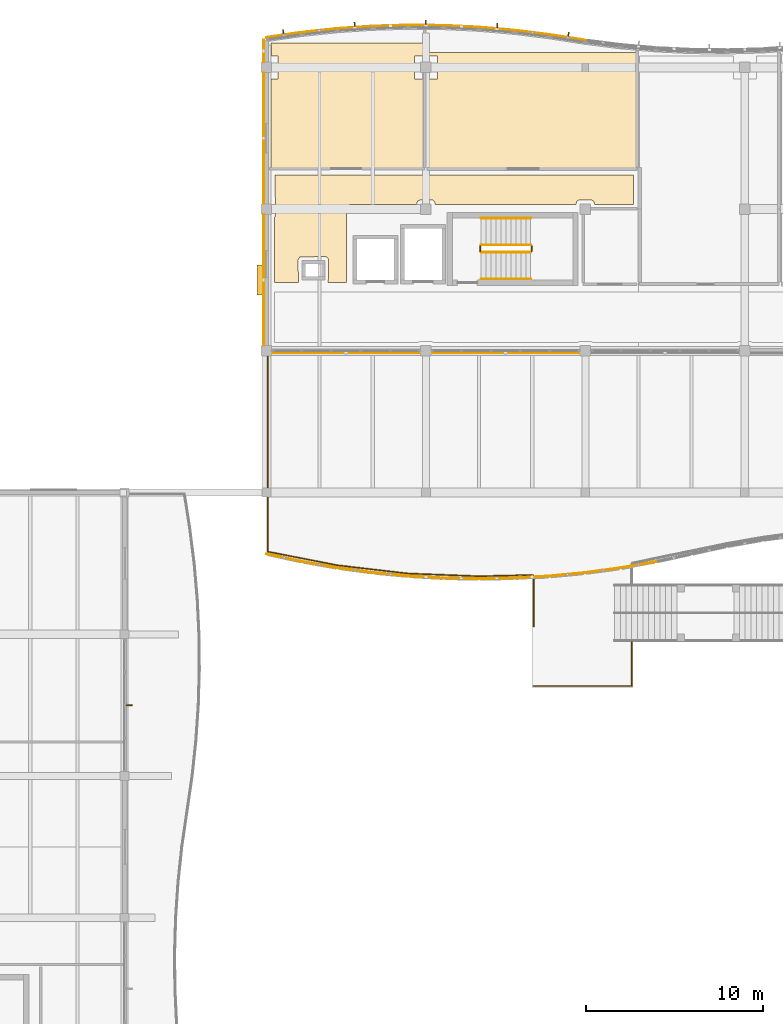
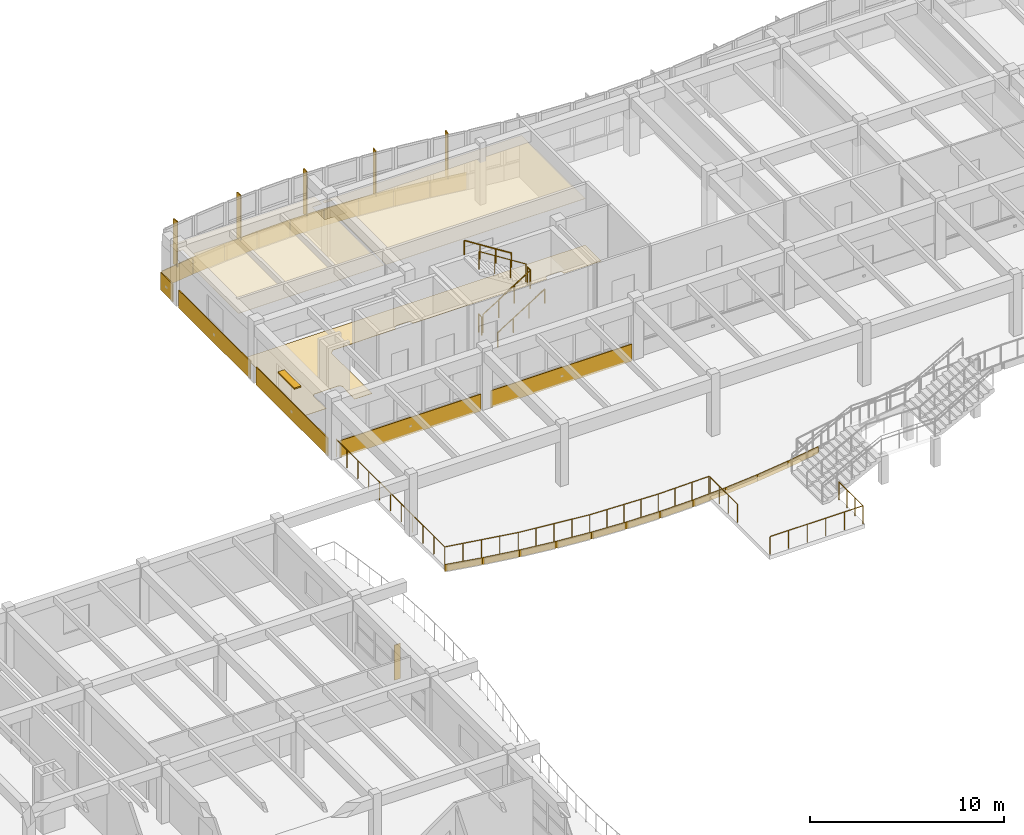
# One storey, part 81 of 89: 28 coverings, 8 railings, 7 shading devices.
"""IFC4 building model written with IfcOpenShell, lengths in metres."""

from ifc_helpers import new_model, si_unit, direction, frame, origin, origin_2d, place, context, subcontext, project, spatial, polyline, rectangle, circle, outline, extrude, material, layer, layer_set, type_object, element, save


model = new_model("IFC4")

# Units and contexts
model_context = context("Model", 3, precision=1e-05, world=origin(), true_north=direction((0.0, 1.0)))
body_context = subcontext(model_context, "Body", "Model", "MODEL_VIEW")
ifc_project = project(units=[si_unit("LENGTHUNIT", "METRE"), si_unit("AREAUNIT", "SQUARE_METRE"), si_unit("VOLUMEUNIT", "CUBIC_METRE"), si_unit("PLANEANGLEUNIT", "RADIAN"), si_unit("MASSUNIT", "GRAM", prefix="KILO")], contexts=[model_context])

# Site, building, storey
site_placement = place(None, origin())
site = spatial("IfcSite", under=ifc_project, at=site_placement, CompositionType="ELEMENT")
building_placement = place(site_placement, origin())
building = spatial("IfcBuilding", under=site, at=building_placement, Name="Tonlespit Floodbar School", CompositionType="ELEMENT")
storey_placement = place(building_placement, frame((0.0, 0.0, 4.5)))
storey = spatial("IfcBuildingStorey", under=building, at=storey_placement, Name="L01", CompositionType="ELEMENT", Elevation=4.5)

# Railing
ifc_material_1 = material(Name="Galvanised Steel", Category="steel")
railing_type_1 = type_object("IfcRailingType", Name="Balustrade_Ext_1150", PredefinedType="BALUSTRADE", material=ifc_material_1)
railing_1_placement = place(storey_placement, frame((59.080078125, 88.43994140625, 0.0)))
element("IfcRailing", 1, at=railing_1_placement, inside=storey, type_object=railing_type_1, Name="L01 terrace balustrade 008", PredefinedType="BALUSTRADE", context=body_context, shape_type="SweptSolid", body=[
    extrude(circle(Radius=0.02392578125, at=origin_2d()), frame((0.0, 0.0, 1.1259765625), z_axis=(0.0, 1.0, 0.0), x_axis=(-1.0, 0.0, 0.0)), (0.0, 0.0, 1.0), 2.832275390625),
    extrude(circle(Radius=0.02392578125, at=origin_2d()), frame((0.0, 2.832275390625, 1.1259765625), z_axis=(-0.409742789154, 0.912201099942, 0.0), x_axis=(-0.912201099942, -0.409742789154, 0.0)), (0.0, 0.0, 1.0), 0.08154296875),
    extrude(circle(Radius=0.02392578125, at=origin_2d()), frame((-0.033447265625, 2.90673828125, 1.1259765625), z_axis=(-0.999735551475, -0.022996241346, 0.0), x_axis=(0.022996241346, -0.999735551475, 0.0)), (0.0, 0.0, 1.0), 3.046875),
    extrude(circle(Radius=0.02392578125, at=origin_2d()), frame((-3.07958984375, 2.836669921875, 1.1259765625), z_axis=(-0.999259278666, 0.038482385571, 0.0), x_axis=(-0.038482385571, -0.999259278666, 0.0)), (0.0, 0.0, 1.0), 3.996826171875),
    extrude(circle(Radius=0.02392578125, at=origin_2d()), frame((-7.073486328125, 2.990478515625, 1.1259765625), z_axis=(-0.993315801969, 0.115428408799, 0.0), x_axis=(-0.115428408799, -0.993315801969, 0.0)), (0.0, 0.0, 1.0), 4.020751953125),
    extrude(circle(Radius=0.02392578125, at=origin_2d()), frame((-11.0673828125, 3.45458984375, 1.1259765625), z_axis=(-0.981302694889, 0.192470831563, 0.0), x_axis=(-0.192470831563, -0.981302694889, 0.0)), (0.0, 0.0, 1.0), 4.007080078125),
    extrude(circle(Radius=0.02392578125, at=origin_2d()), frame((-14.99951171875, 4.225830078125, 1.1259765625), z_axis=(-2.1806922e-05, 0.999999999762, 0.0), x_axis=(-0.999999999762, -2.1806922e-05, 0.0)), (0.0, 0.0, 1.0), 11.195556640625),
    extrude(circle(Radius=0.02099609375, at=origin_2d()), origin(), (0.0, 0.0, 1.0), 1.101806640625),
    extrude(circle(Radius=0.02099609375, at=origin_2d()), frame((0.0, 0.944091796875, 0.0)), (0.0, 0.0, 1.0), 1.101806640625),
    extrude(circle(Radius=0.02099609375, at=origin_2d()), frame((0.0, 1.88818359375, 0.0)), (0.0, 0.0, 1.0), 1.101806640625),
    extrude(circle(Radius=0.02099609375, at=origin_2d()), frame((0.0, 2.832275390625, 0.0)), (0.0, 0.0, 1.0), 1.101806640625),
    extrude(circle(Radius=0.02099609375, at=origin_2d()), frame((-0.033447265625, 2.90673828125, 0.0)), (0.0, 0.0, 1.0), 1.101806640625),
    extrude(circle(Radius=0.02099609375, at=origin_2d()), frame((-1.048828125, 2.88330078125, 0.0)), (0.0, 0.0, 1.0), 1.101806640625),
    extrude(circle(Radius=0.02099609375, at=origin_2d()), frame((-2.064208984375, 2.860107421875, 0.0)), (0.0, 0.0, 1.0), 1.101806640625),
    extrude(circle(Radius=0.02099609375, at=origin_2d()), frame((-3.07958984375, 2.836669921875, 0.0)), (0.0, 0.0, 1.0), 1.101806640625),
    extrude(circle(Radius=0.02099609375, at=origin_2d()), frame((-4.078125, 2.875, 0.0)), (0.0, 0.0, 1.0), 1.101806640625),
    extrude(circle(Radius=0.02099609375, at=origin_2d()), frame((-5.07666015625, 2.91357421875, 0.0)), (0.0, 0.0, 1.0), 1.101806640625),
    extrude(circle(Radius=0.02099609375, at=origin_2d()), frame((-6.074951171875, 2.9521484375, 0.0)), (0.0, 0.0, 1.0), 1.101806640625),
    extrude(circle(Radius=0.02099609375, at=origin_2d()), frame((-7.073486328125, 2.990478515625, 0.0)), (0.0, 0.0, 1.0), 1.101806640625),
    extrude(circle(Radius=0.02099609375, at=origin_2d()), frame((-8.072021484375, 3.1064453125, 0.0)), (0.0, 0.0, 1.0), 1.101806640625),
    extrude(circle(Radius=0.02099609375, at=origin_2d()), frame((-9.0703125, 3.22265625, 0.0)), (0.0, 0.0, 1.0), 1.101806640625),
    extrude(circle(Radius=0.02099609375, at=origin_2d()), frame((-10.06884765625, 3.338623046875, 0.0)), (0.0, 0.0, 1.0), 1.101806640625),
    extrude(circle(Radius=0.02099609375, at=origin_2d()), frame((-11.0673828125, 3.45458984375, 0.0)), (0.0, 0.0, 1.0), 1.101806640625),
    extrude(circle(Radius=0.02099609375, at=origin_2d()), frame((-12.05029296875, 3.6474609375, 0.0)), (0.0, 0.0, 1.0), 1.101806640625),
    extrude(circle(Radius=0.02099609375, at=origin_2d()), frame((-13.033447265625, 3.84033203125, 0.0)), (0.0, 0.0, 1.0), 1.101806640625),
    extrude(circle(Radius=0.02099609375, at=origin_2d()), frame((-14.0166015625, 4.032958984375, 0.0)), (0.0, 0.0, 1.0), 1.101806640625),
    extrude(circle(Radius=0.02099609375, at=origin_2d()), frame((-14.99951171875, 4.225830078125, 0.0)), (0.0, 0.0, 1.0), 1.101806640625),
    extrude(circle(Radius=0.02099609375, at=origin_2d()), frame((-14.99951171875, 5.345458984375, 0.0)), (0.0, 0.0, 1.0), 1.101806640625),
    extrude(circle(Radius=0.02099609375, at=origin_2d()), frame((-14.99951171875, 6.46484375, 0.0)), (0.0, 0.0, 1.0), 1.101806640625),
    extrude(circle(Radius=0.02099609375, at=origin_2d()), frame((-14.99951171875, 7.58447265625, 0.0)), (0.0, 0.0, 1.0), 1.101806640625),
    extrude(circle(Radius=0.02099609375, at=origin_2d()), frame((-14.99951171875, 8.7041015625, 0.0)), (0.0, 0.0, 1.0), 1.101806640625),
    extrude(circle(Radius=0.02099609375, at=origin_2d()), frame((-14.99951171875, 9.82373046875, 0.0)), (0.0, 0.0, 1.0), 1.101806640625),
    extrude(circle(Radius=0.02099609375, at=origin_2d()), frame((-14.999755859375, 10.943115234375, 0.0)), (0.0, 0.0, 1.0), 1.101806640625),
    extrude(circle(Radius=0.02099609375, at=origin_2d()), frame((-14.999755859375, 12.062744140625, 0.0)), (0.0, 0.0, 1.0), 1.101806640625),
    extrude(circle(Radius=0.02099609375, at=origin_2d()), frame((-14.999755859375, 13.182373046875, 0.0)), (0.0, 0.0, 1.0), 1.101806640625),
    extrude(circle(Radius=0.02099609375, at=origin_2d()), frame((-14.999755859375, 14.3017578125, 0.0)), (0.0, 0.0, 1.0), 1.101806640625),
    extrude(circle(Radius=0.02099609375, at=origin_2d()), frame((-14.999755859375, 15.42138671875, 0.0)), (0.0, 0.0, 1.0), 1.101806640625),
])

# Coverings
ifc_material_2 = material(Name="Acoustic Mineral Tile")
ifc_layer_1 = layer(ifc_material_2, 0.02001953125)
ifc_layer_set_1 = layer_set([ifc_layer_1], Name="Acoustic Mineral Tile")
covering_type_1 = type_object("IfcCoveringType", Name="Ceiling_Acoustic_20", PredefinedType="CEILING", material=ifc_layer_set_1)
covering_1_placement = place(storey_placement, frame((0.0, 0.0, 2.64990234375)))
element("IfcCovering", 2, at=covering_1_placement, inside=storey, type_object=covering_type_1, Name="L01 Primary Classroom 101 acoustic ceiling", PredefinedType="CEILING", context=body_context, shape_type="SweptSolid", body=[
    extrude(outline(polyline([(52.929931640625, 120.64990234375), (52.35009765625, 120.64990234375), (52.35009765625, 119.35009765625), (52.929931640625, 119.35009765625), (52.929931640625, 114.27001953125), (44.27001953125, 114.27001953125), (44.27001953125, 119.35009765625), (44.64990234375, 119.35009765625), (44.64990234375, 120.64990234375), (44.291259765625, 120.64990234375), (44.27001953125, 121.372802734375), (52.929931640625, 121.372802734375), (52.929931640625, 120.64990234375)])), origin(), (0.0, 0.0, 1.0), 0.02001953125),
])
covering_2_placement = place(storey_placement, frame((0.0, 0.0, 2.64990234375)))
element("IfcCovering", 3, at=covering_2_placement, inside=storey, type_object=covering_type_1, Name="L01 Primary Classroom 102 acoustic ceiling", PredefinedType="CEILING", context=body_context, shape_type="SweptSolid", body=[
    extrude(outline(polyline([(53.070068359375, 119.35009765625), (53.64990234375, 119.35009765625), (53.64990234375, 120.64990234375), (53.070068359375, 120.64990234375), (53.070068359375, 120.835693359375), (64.929931640625, 120.835693359375), (64.929931640625, 114.27001953125), (53.070068359375, 114.27001953125), (53.070068359375, 119.35009765625)])), origin(), (0.0, 0.0, 1.0), 0.02001953125),
])
ifc_material_3 = material(Name="White Architectural Aluminium", Category="aluminium")
ifc_layer_2 = layer(ifc_material_3, 0.050048828125)
ifc_layer_set_2 = layer_set([ifc_layer_2], Name="White Architectural Aluminium")
covering_type_2 = type_object("IfcCoveringType", Name="Cladding_WhiteBand_50", PredefinedType="CLADDING", material=ifc_layer_set_2)
covering_3_placement = place(storey_placement, frame((0.0, 0.0, -0.1201171875)))
element("IfcCovering", 4, at=covering_3_placement, inside=storey, type_object=covering_type_2, Name="L01 curved white spandrel cladding 0048", PredefinedType="CLADDING", context=body_context, shape_type="SweptSolid", body=[
    extrude(outline(polyline([(43.985595703125, 121.64892578125), (45.985595703125, 121.940673828125), (45.978515625, 121.989990234375), (43.978515625, 121.698486328125), (43.985595703125, 121.64892578125)])), origin(), (0.0, 0.0, 1.0), 1.070068359375),
])
covering_4_placement = place(storey_placement, frame((0.0, 0.0, -0.1201171875)))
element("IfcCovering", 5, at=covering_4_placement, inside=storey, type_object=covering_type_2, Name="L01 curved white spandrel cladding 0049", PredefinedType="CLADDING", context=body_context, shape_type="SweptSolid", body=[
    extrude(outline(polyline([(45.989501953125, 121.94091796875), (47.989501953125, 122.15380859375), (47.984130859375, 122.203369140625), (45.984130859375, 121.99072265625), (45.989501953125, 121.94091796875)])), origin(), (0.0, 0.0, 1.0), 1.070068359375),
])
covering_5_placement = place(storey_placement, frame((0.0, 0.0, -0.1201171875)))
element("IfcCovering", 6, at=covering_5_placement, inside=storey, type_object=covering_type_2, Name="L01 curved white spandrel cladding 0050", PredefinedType="CLADDING", context=body_context, shape_type="SweptSolid", body=[
    extrude(outline(polyline([(47.993408203125, 122.154052734375), (49.993408203125, 122.2890625), (49.989990234375, 122.339111328125), (47.989990234375, 122.2041015625), (47.993408203125, 122.154052734375)])), origin(), (0.0, 0.0, 1.0), 1.070068359375),
])
covering_6_placement = place(storey_placement, frame((0.0, 0.0, -0.1201171875)))
element("IfcCovering", 7, at=covering_6_placement, inside=storey, type_object=covering_type_2, Name="L01 curved white spandrel cladding 0051", PredefinedType="CLADDING", context=body_context, shape_type="SweptSolid", body=[
    extrude(outline(polyline([(49.9970703125, 122.289306640625), (51.9970703125, 122.346923828125), (51.99560546875, 122.39697265625), (49.99560546875, 122.33935546875), (49.9970703125, 122.289306640625)])), origin(), (0.0, 0.0, 1.0), 1.070068359375),
])
covering_7_placement = place(storey_placement, frame((0.0, 0.0, -0.1201171875)))
element("IfcCovering", 8, at=covering_7_placement, inside=storey, type_object=covering_type_2, Name="L01 curved white spandrel cladding 0052", PredefinedType="CLADDING", context=body_context, shape_type="SweptSolid", body=[
    extrude(outline(polyline([(52.0009765625, 122.346923828125), (54.0009765625, 122.327880859375), (54.00146484375, 122.377685546875), (52.00146484375, 122.39697265625), (52.0009765625, 122.346923828125)])), origin(), (0.0, 0.0, 1.0), 1.070068359375),
])
covering_8_placement = place(storey_placement, frame((0.0, 0.0, -0.1201171875)))
element("IfcCovering", 9, at=covering_8_placement, inside=storey, type_object=covering_type_2, Name="L01 curved white spandrel cladding 0053", PredefinedType="CLADDING", context=body_context, shape_type="SweptSolid", body=[
    extrude(outline(polyline([(54.0048828125, 122.32763671875), (56.0048828125, 122.2314453125), (56.007080078125, 122.28125), (54.007080078125, 122.377685546875), (54.0048828125, 122.32763671875)])), origin(), (0.0, 0.0, 1.0), 1.070068359375),
])
covering_9_placement = place(storey_placement, frame((0.0, 0.0, -0.1201171875)))
element("IfcCovering", 10, at=covering_9_placement, inside=storey, type_object=covering_type_2, Name="L01 curved white spandrel cladding 0054", PredefinedType="CLADDING", context=body_context, shape_type="SweptSolid", body=[
    extrude(outline(polyline([(56.0087890625, 122.231201171875), (58.0087890625, 122.057373046875), (58.012939453125, 122.107177734375), (56.012939453125, 122.281005859375), (56.0087890625, 122.231201171875)])), origin(), (0.0, 0.0, 1.0), 1.070068359375),
])
covering_10_placement = place(storey_placement, frame((0.0, 0.0, -0.1201171875)))
element("IfcCovering", 11, at=covering_10_placement, inside=storey, type_object=covering_type_2, Name="L01 curved white spandrel cladding 0055", PredefinedType="CLADDING", context=body_context, shape_type="SweptSolid", body=[
    extrude(outline(polyline([(58.012451171875, 122.056884765625), (60.012451171875, 121.804931640625), (60.018798828125, 121.8544921875), (58.018798828125, 122.1064453125), (58.012451171875, 122.056884765625)])), origin(), (0.0, 0.0, 1.0), 1.070068359375),
])
covering_11_placement = place(storey_placement, frame((0.0, 0.0, -0.1201171875)))
element("IfcCovering", 12, at=covering_11_placement, inside=storey, type_object=covering_type_2, Name="L01 curved white spandrel cladding 0056", PredefinedType="CLADDING", context=body_context, shape_type="SweptSolid", body=[
    extrude(outline(polyline([(60.015380859375, 121.804443359375), (62.015380859375, 121.4931640625), (62.023193359375, 121.54248046875), (60.023193359375, 121.85400390625), (60.015380859375, 121.804443359375)])), origin(), (0.0, 0.0, 1.0), 1.070068359375),
])
covering_12_placement = place(storey_placement, frame((0.0, 0.0, -0.1201171875)))
element("IfcCovering", 13, at=covering_12_placement, inside=storey, type_object=covering_type_2, Name="L01 curved white spandrel cladding 0090", PredefinedType="CLADDING", context=body_context, shape_type="SweptSolid", body=[
    extrude(outline(polyline([(61.699951171875, 103.89990234375), (53.300048828125, 103.89990234375), (53.300048828125, 103.85009765625), (61.699951171875, 103.85009765625), (61.699951171875, 103.89990234375)])), origin(), (0.0, 0.0, 1.0), 1.070068359375),
])
covering_13_placement = place(storey_placement, frame((0.0, 0.0, -0.1201171875)))
element("IfcCovering", 14, at=covering_13_placement, inside=storey, type_object=covering_type_2, Name="L01 curved white spandrel cladding 0091", PredefinedType="CLADDING", context=body_context, shape_type="SweptSolid", body=[
    extrude(outline(polyline([(52.699951171875, 103.89990234375), (44.300048828125, 103.89990234375), (44.300048828125, 103.85009765625), (52.699951171875, 103.85009765625), (52.699951171875, 103.89990234375)])), origin(), (0.0, 0.0, 1.0), 1.070068359375),
])
covering_14_placement = place(storey_placement, frame((0.0, 0.0, -0.1201171875)))
element("IfcCovering", 15, at=covering_14_placement, inside=storey, type_object=covering_type_2, Name="L01 curved white spandrel cladding 0092", PredefinedType="CLADDING", context=body_context, shape_type="SweptSolid", body=[
    extrude(outline(polyline([(43.8798828125, 104.300048828125), (43.8798828125, 111.699951171875), (43.830078125, 111.699951171875), (43.830078125, 104.300048828125), (43.8798828125, 104.300048828125)])), origin(), (0.0, 0.0, 1.0), 1.1201171875),
])
covering_15_placement = place(storey_placement, frame((0.0, 0.0, -0.1201171875)))
element("IfcCovering", 16, at=covering_15_placement, inside=storey, type_object=covering_type_2, Name="L01 curved white spandrel cladding 0093", PredefinedType="CLADDING", context=body_context, shape_type="SweptSolid", body=[
    extrude(outline(polyline([(43.8798828125, 112.300048828125), (43.8798828125, 119.699951171875), (43.830078125, 119.699951171875), (43.830078125, 112.300048828125), (43.8798828125, 112.300048828125)])), origin(), (0.0, 0.0, 1.0), 1.1201171875),
])
covering_16_placement = place(storey_placement, frame((0.0, 0.0, -0.1201171875)))
element("IfcCovering", 17, at=covering_16_placement, inside=storey, type_object=covering_type_2, Name="L01 curved white spandrel cladding 0094", PredefinedType="CLADDING", context=body_context, shape_type="SweptSolid", body=[
    extrude(outline(polyline([(43.8798828125, 120.300048828125), (43.8798828125, 121.550048828125), (43.830078125, 121.550048828125), (43.830078125, 120.300048828125), (43.8798828125, 120.300048828125)])), origin(), (0.0, 0.0, 1.0), 1.1201171875),
])
covering_17_placement = place(storey_placement, frame((0.0, 0.0, -0.300048828125)))
element("IfcCovering", 18, at=covering_17_placement, inside=storey, type_object=covering_type_2, Name="L01 curved white spandrel cladding 0095", PredefinedType="CLADDING", context=body_context, shape_type="SweptSolid", body=[
    extrude(outline(polyline([(44.0, 92.56005859375), (46.0, 92.126953125), (46.0, 92.076904296875), (44.0, 92.510009765625), (44.0, 92.56005859375)])), origin(), (0.0, 0.0, 1.0), 0.420166015625),
])
covering_18_placement = place(storey_placement, frame((0.0, 0.0, -0.300048828125)))
element("IfcCovering", 19, at=covering_18_placement, inside=storey, type_object=covering_type_2, Name="L01 curved white spandrel cladding 0096", PredefinedType="CLADDING", context=body_context, shape_type="SweptSolid", body=[
    extrude(outline(polyline([(46.0, 92.126953125), (48.0, 91.775390625), (48.0, 91.7255859375), (46.0, 92.076904296875), (46.0, 92.126953125)])), origin(), (0.0, 0.0, 1.0), 0.420166015625),
])
covering_19_placement = place(storey_placement, frame((0.0, 0.0, -0.300048828125)))
element("IfcCovering", 20, at=covering_19_placement, inside=storey, type_object=covering_type_2, Name="L01 curved white spandrel cladding 0097", PredefinedType="CLADDING", context=body_context, shape_type="SweptSolid", body=[
    extrude(outline(polyline([(48.0, 91.775390625), (50.0, 91.50390625), (50.0, 91.453857421875), (48.0, 91.7255859375), (48.0, 91.775390625)])), origin(), (0.0, 0.0, 1.0), 0.420166015625),
])
covering_20_placement = place(storey_placement, frame((0.0, 0.0, -0.300048828125)))
element("IfcCovering", 21, at=covering_20_placement, inside=storey, type_object=covering_type_2, Name="L01 curved white spandrel cladding 0098", PredefinedType="CLADDING", context=body_context, shape_type="SweptSolid", body=[
    extrude(outline(polyline([(50.0, 91.50390625), (52.0, 91.310546875), (52.0, 91.260498046875), (50.0, 91.453857421875), (50.0, 91.50390625)])), origin(), (0.0, 0.0, 1.0), 0.420166015625),
])
covering_21_placement = place(storey_placement, frame((0.0, 0.0, -0.300048828125)))
element("IfcCovering", 22, at=covering_21_placement, inside=storey, type_object=covering_type_2, Name="L01 curved white spandrel cladding 0099", PredefinedType="CLADDING", context=body_context, shape_type="SweptSolid", body=[
    extrude(outline(polyline([(52.0, 91.310546875), (54.0, 91.19482421875), (54.0, 91.14501953125), (52.0, 91.260498046875), (52.0, 91.310546875)])), origin(), (0.0, 0.0, 1.0), 0.420166015625),
])
covering_22_placement = place(storey_placement, frame((0.0, 0.0, -0.300048828125)))
element("IfcCovering", 23, at=covering_22_placement, inside=storey, type_object=covering_type_2, Name="L01 curved white spandrel cladding 0100", PredefinedType="CLADDING", context=body_context, shape_type="SweptSolid", body=[
    extrude(outline(polyline([(54.0, 91.19482421875), (56.0, 91.156494140625), (56.0, 91.1064453125), (54.0, 91.14501953125), (54.0, 91.19482421875)])), origin(), (0.0, 0.0, 1.0), 0.420166015625),
])
covering_23_placement = place(storey_placement, frame((0.0, 0.0, -0.300048828125)))
element("IfcCovering", 24, at=covering_23_placement, inside=storey, type_object=covering_type_2, Name="L01 curved white spandrel cladding 0101", PredefinedType="CLADDING", context=body_context, shape_type="SweptSolid", body=[
    extrude(outline(polyline([(56.0, 91.156494140625), (58.0, 91.19482421875), (58.0, 91.14501953125), (56.0, 91.1064453125), (56.0, 91.156494140625)])), origin(), (0.0, 0.0, 1.0), 0.420166015625),
])
covering_24_placement = place(storey_placement, frame((0.0, 0.0, -0.300048828125)))
element("IfcCovering", 25, at=covering_24_placement, inside=storey, type_object=covering_type_2, Name="L01 curved white spandrel cladding 0102", PredefinedType="CLADDING", context=body_context, shape_type="SweptSolid", body=[
    extrude(outline(polyline([(58.0, 91.19482421875), (60.0, 91.310546875), (60.0, 91.260498046875), (58.0, 91.14501953125), (58.0, 91.19482421875)])), origin(), (0.0, 0.0, 1.0), 0.420166015625),
])
covering_25_placement = place(storey_placement, frame((0.0, 0.0, -0.300048828125)))
element("IfcCovering", 26, at=covering_25_placement, inside=storey, type_object=covering_type_2, Name="L01 curved white spandrel cladding 0103", PredefinedType="CLADDING", context=body_context, shape_type="SweptSolid", body=[
    extrude(outline(polyline([(60.0, 91.310546875), (62.0, 91.50390625), (62.0, 91.453857421875), (60.0, 91.260498046875), (60.0, 91.310546875)])), origin(), (0.0, 0.0, 1.0), 0.420166015625),
])
covering_26_placement = place(storey_placement, frame((0.0, 0.0, -0.300048828125)))
element("IfcCovering", 27, at=covering_26_placement, inside=storey, type_object=covering_type_2, Name="L01 curved white spandrel cladding 0104", PredefinedType="CLADDING", context=body_context, shape_type="SweptSolid", body=[
    extrude(outline(polyline([(62.0, 91.50390625), (64.0, 91.775390625), (64.0, 91.7255859375), (62.0, 91.453857421875), (62.0, 91.50390625)])), origin(), (0.0, 0.0, 1.0), 0.420166015625),
])
covering_27_placement = place(storey_placement, frame((0.0, 0.0, -0.300048828125)))
element("IfcCovering", 28, at=covering_27_placement, inside=storey, type_object=covering_type_2, Name="L01 curved white spandrel cladding 0105", PredefinedType="CLADDING", context=body_context, shape_type="SweptSolid", body=[
    extrude(outline(polyline([(64.0, 91.775390625), (66.0, 92.126953125), (66.0, 92.076904296875), (64.0, 91.7255859375), (64.0, 91.775390625)])), origin(), (0.0, 0.0, 1.0), 0.420166015625),
])
ifc_material_4 = material(Name="Terrazzo Tile")
ifc_layer_3 = layer(ifc_material_4, 0.02001953125)
ifc_layer_set_3 = layer_set([ifc_layer_3], Name="Terrazzo Tile")
covering_type_3 = type_object("IfcCoveringType", Name="Flooring_Terrazzo_20", PredefinedType="FLOORING", material=ifc_layer_set_3)
covering_28_placement = place(storey_placement, origin())
element("IfcCovering", 29, at=covering_28_placement, inside=storey, type_object=covering_type_3, Name="L01 West Lobby Passage L01 terrazzo flooring", PredefinedType="FLOORING", context=body_context, shape_type="SweptSolid", body=[
    extrude(outline(polyline([(44.469970703125, 111.548095703125), (44.52001953125, 111.68408203125), (44.47412109375, 113.929931640625), (64.72998046875, 113.929931640625), (64.72998046875, 112.27001953125), (62.52001953125, 112.27001953125), (62.474609375, 112.447021484375), (62.320068359375, 112.52001953125), (61.621826171875, 112.511474609375), (61.503662109375, 112.414306640625), (61.47998046875, 112.27001953125), (53.52001953125, 112.27001953125), (53.496337890625, 112.414306640625), (53.378173828125, 112.511474609375), (52.679931640625, 112.52001953125), (52.525390625, 112.447021484375), (52.47998046875, 112.269775390625), (48.696533203125, 112.24951171875), (48.530029296875, 112.0), (48.530029296875, 107.8701171875), (47.487060546875, 107.8701171875), (47.51904296875, 109.1396484375), (47.447021484375, 109.274658203125), (47.320068359375, 109.320068359375), (45.8857421875, 109.29638671875), (45.781005859375, 109.1396484375), (45.81298828125, 107.8701171875), (44.469970703125, 107.8701171875), (44.469970703125, 111.548095703125)])), origin(), (0.0, 0.0, 1.0), 0.02001953125),
])

# Railings
railing_type_2 = type_object("IfcRailingType", Name="Guard_Int_1150", PredefinedType="BALUSTRADE", material=ifc_material_1)
railing_2_placement = place(storey_placement, frame((56.1201171875, 109.570068359375, 0.17724609375)))
element("IfcRailing", 30, at=railing_2_placement, inside=storey, type_object=railing_type_2, Name="L01 ST-C1 stair guard 1", PredefinedType="BALUSTRADE", context=body_context, shape_type="SweptSolid", body=[
    extrude(circle(Radius=0.02392578125, at=origin_2d()), frame((0.0, 0.0, 1.1259765625), z_axis=(0.844887892834, 0.0, 0.53494340686), x_axis=(0.0, 1.0, 0.0)), (0.0, 0.0, 1.0), 3.313720703125),
    extrude(circle(Radius=0.02099609375, at=origin_2d()), origin(), (0.0, 0.0, 1.0), 1.101806640625),
    extrude(circle(Radius=0.02099609375, at=origin_2d()), frame((0.933349609375, 0.0, 0.5908203125)), (0.0, 0.0, 1.0), 1.101806640625),
    extrude(circle(Radius=0.02099609375, at=origin_2d()), frame((1.866455078125, 0.0, 1.181884765625)), (0.0, 0.0, 1.0), 1.101806640625),
    extrude(circle(Radius=0.02099609375, at=origin_2d()), frame((2.7998046875, 0.0, 1.772705078125)), (0.0, 0.0, 1.0), 1.101806640625),
])
railing_3_placement = place(storey_placement, frame((58.969970703125, 109.6201171875, 1.949951171875)))
element("IfcRailing", 31, at=railing_3_placement, inside=storey, type_object=railing_type_2, Name="L01 ST-C1 stair guard 2", PredefinedType="BALUSTRADE", context=body_context, shape_type="SweptSolid", body=[
    extrude(circle(Radius=0.02392578125, at=origin_2d()), frame((0.0, 0.0, 1.1259765625), z_axis=(0.0, 1.0, 0.0), x_axis=(-1.0, 0.0, 0.0)), (0.0, 0.0, 1.0), 0.2998046875),
    extrude(circle(Radius=0.02099609375, at=origin_2d()), origin(), (0.0, 0.0, 1.0), 1.101806640625),
    extrude(circle(Radius=0.02099609375, at=origin_2d()), frame((0.0, 0.2998046875, 0.0)), (0.0, 0.0, 1.0), 1.101806640625),
])
railing_4_placement = place(storey_placement, frame((58.919921875, 109.969970703125, 2.127197265625)))
element("IfcRailing", 32, at=railing_4_placement, inside=storey, type_object=railing_type_2, Name="L01 ST-C1 stair guard 3", PredefinedType="BALUSTRADE", context=body_context, shape_type="SweptSolid", body=[
    extrude(circle(Radius=0.02392578125, at=origin_2d()), frame((0.0, 0.0, 1.1259765625), z_axis=(-0.844887892834, 0.0, 0.53494340686), x_axis=(0.0, -1.0, 0.0)), (0.0, 0.0, 1.0), 3.313720703125),
    extrude(circle(Radius=0.02099609375, at=origin_2d()), origin(), (0.0, 0.0, 1.0), 1.101806640625),
    extrude(circle(Radius=0.02099609375, at=origin_2d()), frame((-0.933349609375, 0.0, 0.5908203125)), (0.0, 0.0, 1.0), 1.101806640625),
    extrude(circle(Radius=0.02099609375, at=origin_2d()), frame((-1.866455078125, 0.0, 1.181884765625)), (0.0, 0.0, 1.0), 1.101806640625),
    extrude(circle(Radius=0.02099609375, at=origin_2d()), frame((-2.7998046875, 0.0, 1.772705078125)), (0.0, 0.0, 1.0), 1.101806640625),
])
railing_5_placement = place(storey_placement, frame((56.070068359375, 109.6201171875, 0.0)))
element("IfcRailing", 33, at=railing_5_placement, inside=storey, type_object=railing_type_2, Name="L01 ST-C1 stair guard 4", PredefinedType="BALUSTRADE", context=body_context, shape_type="SweptSolid", body=[
    extrude(circle(Radius=0.02392578125, at=origin_2d()), frame((0.0, 0.0, 1.1259765625), z_axis=(0.0, 1.0, 0.0), x_axis=(-1.0, 0.0, 0.0)), (0.0, 0.0, 1.0), 0.2998046875),
    extrude(circle(Radius=0.02099609375, at=origin_2d()), origin(), (0.0, 0.0, 1.0), 1.101806640625),
    extrude(circle(Radius=0.02099609375, at=origin_2d()), frame((0.0, 0.2998046875, 0.0)), (0.0, 0.0, 1.0), 1.101806640625),
])
ifc_material_5 = material(Name="Anodised Aluminium", Category="aluminium")
railing_type_3 = type_object("IfcRailingType", Name="Guardrail_Terrace_1150", PredefinedType="GUARDRAIL", material=ifc_material_5)
railing_6_placement = place(storey_placement, frame((64.6201171875, 87.56005859375, 0.0)))
element("IfcRailing", 34, at=railing_6_placement, inside=storey, type_object=railing_type_3, Name="L01 terrace balustrade 007", PredefinedType="GUARDRAIL", context=body_context, shape_type="SweptSolid", body=[
    extrude(circle(Radius=0.02392578125, at=origin_2d()), frame((0.0, 0.0, 1.1259765625), z_axis=(0.0, -1.0, 0.0), x_axis=(1.0, 0.0, 0.0)), (0.0, 0.0, 1.0), 2.4794921875),
    extrude(circle(Radius=0.02392578125, at=origin_2d()), frame((0.0, -2.4794921875, 1.1259765625), z_axis=(-0.999999996115, -8.8144557e-05, 0.0), x_axis=(8.8144557e-05, -0.999999996115, 0.0)), (0.0, 0.0, 1.0), 5.53955078125),
    extrude(circle(Radius=0.02099609375, at=origin_2d()), origin(), (0.0, 0.0, 1.0), 1.101806640625),
    extrude(circle(Radius=0.02099609375, at=origin_2d()), frame((0.0, -0.826416015625, 0.0)), (0.0, 0.0, 1.0), 1.101806640625),
    extrude(circle(Radius=0.02099609375, at=origin_2d()), frame((0.0, -1.653076171875, 0.0)), (0.0, 0.0, 1.0), 1.101806640625),
    extrude(circle(Radius=0.02099609375, at=origin_2d()), frame((0.0, -2.4794921875, 0.0)), (0.0, 0.0, 1.0), 1.101806640625),
    extrude(circle(Radius=0.02099609375, at=origin_2d()), frame((-1.10791015625, -2.4794921875, 0.0)), (0.0, 0.0, 1.0), 1.101806640625),
    extrude(circle(Radius=0.02099609375, at=origin_2d()), frame((-2.2158203125, -2.479736328125, 0.0)), (0.0, 0.0, 1.0), 1.101806640625),
    extrude(circle(Radius=0.02099609375, at=origin_2d()), frame((-3.32373046875, -2.479736328125, 0.0)), (0.0, 0.0, 1.0), 1.101806640625),
    extrude(circle(Radius=0.02099609375, at=origin_2d()), frame((-4.431640625, -2.47998046875, 0.0)), (0.0, 0.0, 1.0), 1.101806640625),
    extrude(circle(Radius=0.02099609375, at=origin_2d()), frame((-5.53955078125, -2.47998046875, 0.0)), (0.0, 0.0, 1.0), 1.101806640625),
])
railing_type_4 = type_object("IfcRailingType", Name="Handrail_Int_920", PredefinedType="HANDRAIL", material=ifc_material_1)
railing_7_placement = place(storey_placement, frame((56.1201171875, 108.050048828125, 0.17724609375)))
element("IfcRailing", 35, at=railing_7_placement, inside=storey, type_object=railing_type_4, Name="L01 ST-C1 stair handrail 1", PredefinedType="HANDRAIL", context=body_context, shape_type="SweptSolid", body=[
    extrude(circle(Radius=0.02392578125, at=origin_2d()), frame((0.0, 0.0, 0.89599609375), z_axis=(0.844887892834, 0.0, 0.53494340686), x_axis=(0.0, 1.0, 0.0)), (0.0, 0.0, 1.0), 3.313720703125),
    extrude(circle(Radius=0.02099609375, at=origin_2d()), origin(), (0.0, 0.0, 1.0), 0.871826171875),
    extrude(circle(Radius=0.02099609375, at=origin_2d()), frame((0.933349609375, 0.0, 0.5908203125)), (0.0, 0.0, 1.0), 0.871826171875),
    extrude(circle(Radius=0.02099609375, at=origin_2d()), frame((1.866455078125, 0.0, 1.181884765625)), (0.0, 0.0, 1.0), 0.871826171875),
    extrude(circle(Radius=0.02099609375, at=origin_2d()), frame((2.7998046875, 0.0, 1.772705078125)), (0.0, 0.0, 1.0), 0.871826171875),
])
railing_8_placement = place(storey_placement, frame((58.919921875, 111.489990234375, 2.127197265625)))
element("IfcRailing", 36, at=railing_8_placement, inside=storey, type_object=railing_type_4, Name="L01 ST-C1 stair handrail 2", PredefinedType="HANDRAIL", context=body_context, shape_type="SweptSolid", body=[
    extrude(circle(Radius=0.02392578125, at=origin_2d()), frame((0.0, 0.0, 0.89599609375), z_axis=(-0.844887892834, 0.0, 0.53494340686), x_axis=(0.0, -1.0, 0.0)), (0.0, 0.0, 1.0), 3.313720703125),
    extrude(circle(Radius=0.02099609375, at=origin_2d()), origin(), (0.0, 0.0, 1.0), 0.871826171875),
    extrude(circle(Radius=0.02099609375, at=origin_2d()), frame((-0.933349609375, 0.0, 0.5908203125)), (0.0, 0.0, 1.0), 0.871826171875),
    extrude(circle(Radius=0.02099609375, at=origin_2d()), frame((-1.866455078125, 0.0, 1.181884765625)), (0.0, 0.0, 1.0), 0.871826171875),
    extrude(circle(Radius=0.02099609375, at=origin_2d()), frame((-2.7998046875, 0.0, 1.772705078125)), (0.0, 0.0, 1.0), 0.871826171875),
])

# Shading devices
ifc_layer_4 = layer(ifc_material_5, 0.080078125)
ifc_layer_set_4 = layer_set([ifc_layer_4], Name="Anodised Aluminium")
shading_device_type_1 = type_object("IfcShadingDeviceType", Name="Shading_MonsoonJalousie_400", PredefinedType="JALOUSIE", material=ifc_layer_set_4)
shading_device_1_placement = place(storey_placement, frame((43.681884765625, 108.0, 2.469970703125), z_axis=(0.0, 0.0, 1.0), x_axis=(0.0, 1.0, 0.0)))
element("IfcShadingDevice", 37, at=shading_device_1_placement, inside=storey, type_object=shading_device_type_1, Name="L01 monsoon jalousie 036", PredefinedType="JALOUSIE", context=body_context, shape_type="SweptSolid", body=[
    extrude(rectangle(XDim=1.699951171875, YDim=0.39990234375, at=origin_2d()), origin(), (0.0, 0.0, 1.0), 0.080078125),
])
ifc_material_6 = material(Name="Terracotta Anodised Aluminium", Category="masonry")
ifc_layer_5 = layer(ifc_material_6, 0.06005859375)
ifc_layer_set_5 = layer_set([ifc_layer_5], Name="Terracotta Anodised Aluminium")
shading_device_type_2 = type_object("IfcShadingDeviceType", Name="Shading_SolarFin_350", PredefinedType="USERDEFINED", material=ifc_layer_set_5)
for number, where, z_axis, x_axis, name in (
    (38, (44.96240234375, 121.953125, 0.800048828125), (0.0, 0.0, 1.0), (0.989537627347, 0.144275029245, 0.0), "L01 vertical solar fin 018"),
    (39, (48.982421875, 122.381103515625, 0.800048828125), (0.0, 0.0, 1.0), (0.997729639049, 0.067346621018, 0.0), "L01 vertical solar fin 019"),
    (40, (53.00244140625, 122.497314453125, 0.800048828125), (0.0, 0.0, 1.0), (0.999953926969, -0.009599163462, 0.0), "L01 vertical solar fin 020"),
    (41, (57.0224609375, 122.3037109375, 0.800048828125), (0.0, 0.0, 1.0), (0.996245486492, -0.086573267488, 0.0), "L01 vertical solar fin 021"),
    (42, (61.0400390625, 121.806884765625, 0.800048828125), (0.0, 0.0, 1.0), (0.988094768361, -0.153846445322, 0.0), "L01 vertical solar fin 022"),
):
    element("IfcShadingDevice", number, at=place(storey_placement, frame(where, z_axis=z_axis, x_axis=x_axis)), inside=storey, type_object=shading_device_type_2, Name=name, ObjectType="SOLAR FIN", PredefinedType="USERDEFINED", context=body_context, shape_type="SweptSolid", body=[
        extrude(rectangle(XDim=0.06005859375, YDim=0.35009765625, at=origin_2d()), origin(), (0.0, 0.0, 1.0), 2.85009765625),
    ])
shading_device_2_placement = place(storey_placement, frame((36.25244140625, 84.0, 0.7998046875), z_axis=(0.0, 0.0, 1.0), x_axis=(0.0, -1.0, 0.0)))
element("IfcShadingDevice", 43, at=shading_device_2_placement, inside=storey, type_object=shading_device_type_2, Name="L01 vertical solar fin 148", ObjectType="SOLAR FIN", PredefinedType="USERDEFINED", context=body_context, shape_type="SweptSolid", body=[
    extrude(rectangle(XDim=0.06005859375, YDim=0.35009765625, at=origin_2d()), origin(), (0.0, 0.0, 1.0), 2.199951171875),
])

save(model, "model.ifc")
